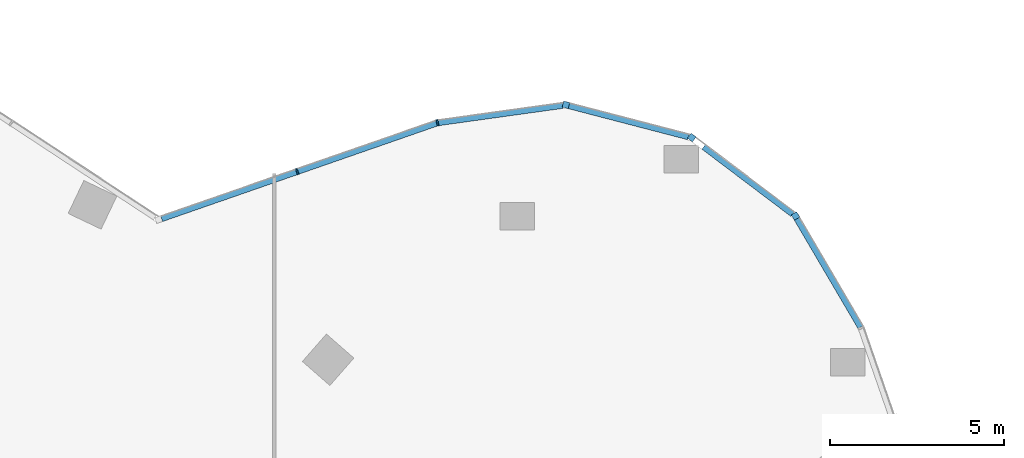
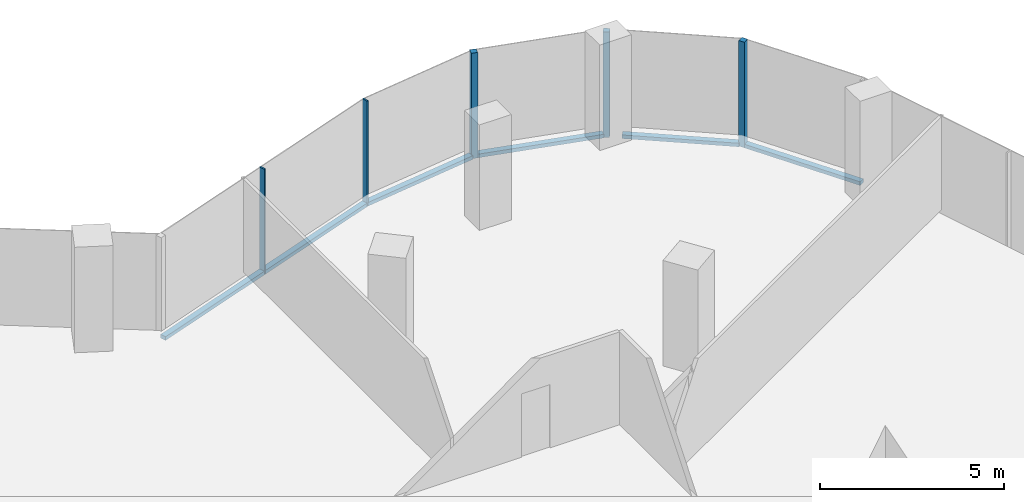
# One storey, part 11 of 24: 10 members, 5 elements without a shape of their own.
"""IFC4 building model written with IfcOpenShell, lengths in metres."""

import ifcopenshell
import ifcopenshell.guid

model = None  # the IFC model being written
_history = None  # IfcOwnerHistory: only IFC2X3 demands one
_inside = {}  # id of a spatial element -> (the spatial element, [elements in it])
_under = {}  # id of a project, library or spatial element -> (it, [spatial elements below it])
_declared = {}  # id of a project -> (the project, [libraries it declares])
_typed = {}  # id of a type object -> (the type object, [elements of that type])
_made_of = {}  # id of a material, layer set ... -> (it, [elements and type objects made of it])


def new_model(schema):
    """Start an empty IFC model of exactly this schema.

    Asked for "IFC4X3", IfcOpenShell would pick the latest addendum, in which some entities
    have other attributes; the version numbers below select the first issue.
    IFC2X3 requires an IfcOwnerHistory on every rooted entity: one is made here for all.
    """
    global model, _history
    if schema == "IFC4X3":
        model = ifcopenshell.file(schema_version=(4, 3, 0, 0))
    else:
        model = ifcopenshell.file(schema=schema)
    _inside.clear()
    _under.clear()
    _declared.clear()
    _typed.clear()
    _made_of.clear()
    _history = None
    if model.schema == "IFC2X3":
        org = make("IfcOrganization", Name="unknown")
        user = make(
            "IfcPersonAndOrganization",
            ThePerson=make("IfcPerson", FamilyName="unknown"),
            TheOrganization=org,
        )
        app = make(
            "IfcApplication",
            ApplicationDeveloper=org,
            Version="unknown",
            ApplicationFullName="unknown",
            ApplicationIdentifier="unknown",
        )
        _history = make(
            "IfcOwnerHistory",
            OwningUser=user,
            OwningApplication=app,
            ChangeAction="ADDED",
            CreationDate=0,
        )
    return model


def make(cls, **values):
    """One entity of the class cls with the attributes given. An attribute that is None is left unset."""
    return model.create_entity(
        cls, **{name: value for name, value in values.items() if value is not None}
    )


def rooted(cls, **values):
    """An entity with a GlobalId (a new one), such as an element, a storey or a relation."""
    return make(cls, GlobalId=ifcopenshell.guid.new(), OwnerHistory=_history, **values)


def si_unit(unit_type, name, prefix=None):
    """IfcSIUnit, for example si_unit("LENGTHUNIT", "METRE", prefix="MILLI")."""
    return make("IfcSIUnit", UnitType=unit_type, Prefix=prefix, Name=name)


def assignment(units):
    """IfcUnitAssignment: the units of a project."""
    return None if units is None else make("IfcUnitAssignment", Units=units)


def point(xyz):
    """IfcCartesianPoint."""
    return None if xyz is None else make("IfcCartesianPoint", Coordinates=xyz)


def direction(xyz):
    """IfcDirection."""
    return None if xyz is None else make("IfcDirection", DirectionRatios=xyz)


def frame(location, z_axis=None, x_axis=None):
    """IfcAxis2Placement3D, a coordinate frame: its origin and axes. An axis left out is left unset."""
    return make(
        "IfcAxis2Placement3D",
        Location=point(location),
        Axis=direction(z_axis),
        RefDirection=direction(x_axis),
    )


def frame_2d(location, x_axis=None):
    """IfcAxis2Placement2D, a coordinate frame in the plane: its origin and x axis."""
    return make(
        "IfcAxis2Placement2D", Location=point(location), RefDirection=direction(x_axis)
    )


def origin():
    """The frame at (0, 0, 0) with its axes left unset."""
    return frame((0.0, 0.0, 0.0))


def origin_2d():
    """The frame at (0, 0) in the plane with its x axis left unset."""
    return frame_2d((0.0, 0.0))


def place(relative_to, where):
    """IfcLocalPlacement: puts the frame where relative to a parent placement (None: the world)."""
    return make(
        "IfcLocalPlacement", PlacementRelTo=relative_to, RelativePlacement=where
    )


def context(
    kind, dimensions, precision=None, world=None, true_north=None, identifier=None
):
    """IfcGeometricRepresentationContext, for example the 3D "Model" context."""
    return make(
        "IfcGeometricRepresentationContext",
        ContextIdentifier=identifier,
        ContextType=kind,
        CoordinateSpaceDimension=dimensions,
        Precision=precision,
        WorldCoordinateSystem=world,
        TrueNorth=true_north,
    )


def subcontext(parent, identifier, kind, view, scale=None):
    """IfcGeometricRepresentationSubContext, for example "Body" below "Model"."""
    return make(
        "IfcGeometricRepresentationSubContext",
        ContextIdentifier=identifier,
        ContextType=kind,
        ParentContext=parent,
        TargetScale=scale,
        TargetView=view,
    )


def project(units=None, contexts=None):
    """IfcProject with its units and contexts."""
    return rooted(
        "IfcProject",
        Name="project",
        RepresentationContexts=contexts,
        UnitsInContext=assignment(units),
    )


def spatial(cls, under=None, at=None, **own):
    """A site, building, storey or space (cls), placed at a placement, below another one or the project."""
    s = rooted(cls, ObjectPlacement=at, **own)
    if under is not None:
        _under.setdefault(under.id(), (under, []))[1].append(s)
    return s


def profile(cls, at=None, kind="AREA", **sizes):
    """A parametric profile (cls). Its sizes go by their IFC names, for example OverallWidth=200.0."""
    return make(cls, ProfileType=kind, Position=at, **sizes)


def rectangle(**sizes):
    """IfcRectangleProfileDef."""
    return profile("IfcRectangleProfileDef", **sizes)


def extrude(swept, where, along, depth):
    """IfcExtrudedAreaSolid: the profile swept, set in the frame where, extruded along a direction by depth."""
    return make(
        "IfcExtrudedAreaSolid",
        SweptArea=swept,
        Position=where,
        ExtrudedDirection=direction(along),
        Depth=depth,
    )


def shape(context_of_items, identifier, shape_type, items):
    """IfcShapeRepresentation: the items that make up one representation, for example the "Body"."""
    return make(
        "IfcShapeRepresentation",
        ContextOfItems=context_of_items,
        RepresentationIdentifier=identifier,
        RepresentationType=shape_type,
        Items=items,
    )


def material(Name=None, Category=None):
    """IfcMaterial."""
    return make("IfcMaterial", Name=Name, Category=Category)


def material_profile(
    of_material, cross_section, Name=None, Category=None, Priority=None
):
    """IfcMaterialProfile: a cross section and its material."""
    return make(
        "IfcMaterialProfile",
        Name=Name,
        Material=of_material,
        Profile=cross_section,
        Priority=Priority,
        Category=Category,
    )


def profile_set(profiles, Name=None, composite=None):
    """IfcMaterialProfileSet."""
    return make(
        "IfcMaterialProfileSet",
        Name=Name,
        MaterialProfiles=profiles,
        CompositeProfile=composite,
    )


def made_of(thing, what):
    """Note that an element or type object is made of a material, layer set ...; save() writes the relation."""
    if what is not None:
        _made_of.setdefault(what.id(), (what, []))[1].append(thing)
    return thing


def type_object(cls, material=None, **own):
    """A type object (cls), such as IfcWallType, which elements share."""
    return made_of(rooted(cls, **own), material)


def element(
    cls,
    number,
    at=None,
    inside=None,
    cuts=None,
    type_object=None,
    material=None,
    context=None,
    identifier="Body",
    shape_type=None,
    held_by="IfcProductDefinitionShape",
    body=None,
    shapes=None,
    **own,
):
    """One element of the class cls, such as IfcWall. Its Tag is "e" and its number.

    at: its placement. inside: the storey or other place that contains it. cuts: it is an
    opening in that element (IfcRelVoidsElement). A single representation is given by context,
    identifier, shape_type and body (its items); several are given by shapes. held_by: the class
    of the entity that holds the representations. save() writes the other relations.
    """
    e = rooted(cls, Tag="e%d" % number, ObjectPlacement=at, **own)
    if body is not None:
        shapes = [shape(context, identifier, shape_type, body)]
    if shapes is not None:
        e.Representation = make(held_by, Representations=shapes)
    if inside is not None:
        _inside.setdefault(inside.id(), (inside, []))[1].append(e)
    if cuts is not None:
        rooted(
            "IfcRelVoidsElement", RelatingBuildingElement=cuts, RelatedOpeningElement=e
        )
    if type_object is not None:
        _typed.setdefault(type_object.id(), (type_object, []))[1].append(e)
    return made_of(e, material)


def aggregate(whole, parts):
    """IfcRelAggregates: a whole, such as a stair, and the parts it consists of."""
    return rooted("IfcRelAggregates", RelatingObject=whole, RelatedObjects=parts)


def save(model, path):
    """Write the relations noted so far, then the file.

    IfcRelAggregates (storeys below a building ...), IfcRelContainedInSpatialStructure (elements
    in a storey), IfcRelDefinesByType, IfcRelAssociatesMaterial and IfcRelDeclares: one each for
    every whole, place, type object, material and project.
    """
    for whole, parts in _under.values():
        aggregate(whole, parts)
    for where, things in _inside.values():
        rooted(
            "IfcRelContainedInSpatialStructure",
            RelatedElements=things,
            RelatingStructure=where,
        )
    for kind, things in _typed.values():
        rooted("IfcRelDefinesByType", RelatedObjects=things, RelatingType=kind)
    for what, things in _made_of.values():
        rooted("IfcRelAssociatesMaterial", RelatedObjects=things, RelatingMaterial=what)
    for by, libraries in _declared.values():
        rooted("IfcRelDeclares", RelatingContext=by, RelatedDefinitions=libraries)
    model.write(path)


model = new_model("IFC4")

# Units and contexts
model_context = context("Model", 3, precision=1e-05, world=origin(), true_north=direction((0.0, 1.0)))
body_context = subcontext(model_context, "Body", "Model", "MODEL_VIEW")
ifc_project = project(units=[si_unit("LENGTHUNIT", "METRE"), si_unit("AREAUNIT", "SQUARE_METRE"), si_unit("VOLUMEUNIT", "CUBIC_METRE"), si_unit("PLANEANGLEUNIT", "RADIAN"), si_unit("MASSUNIT", "GRAM", prefix="KILO")], contexts=[model_context])

# Site, building, storey
site_placement = place(None, origin())
site = spatial("IfcSite", under=ifc_project, at=site_placement, CompositionType="ELEMENT")
building_placement = place(site_placement, origin())
building = spatial("IfcBuilding", under=site, at=building_placement, Name="Orlundy Tower", CompositionType="ELEMENT")
storey_placement = place(building_placement, frame((0.0, 0.0, 239.0)))
storey = spatial("IfcBuildingStorey", under=building, at=storey_placement, Name="L63", CompositionType="ELEMENT", Elevation=239.0)

# Curtain wall, member
ifc_material_1 = material(Name="Aluminium bronze anodised", Category="aluminium")
curtain_wall_type = type_object("IfcCurtainWallType", Name="CW1 wall", PredefinedType="NOTDEFINED", material=ifc_material_1)
curtain_wall_1_placement = place(storey_placement, origin())
curtain_wall_1 = element("IfcCurtainWall", 1, at=curtain_wall_1_placement, inside=storey, type_object=curtain_wall_type, Name="CW1 run 020", PredefinedType="NOTDEFINED")
ifc_material_2 = material(Name="Aluminium bronze anodised", Category="aluminium")
ifc_material_profile_1 = material_profile(ifc_material_2, rectangle(XDim=0.179931640625, YDim=0.179931640625, at=origin_2d()), Name="CW1 corner post 180x180")
ifc_profile_set_1 = profile_set([ifc_material_profile_1], Name="Aluminium bronze anodised")
member_type_1 = type_object("IfcMemberType", Name="CW1 corner post 180x180", PredefinedType="MULLION", material=ifc_profile_set_1)
member_1_placement = place(storey_placement, frame((26.392333984375, 29.671630859375, -0.39990234375), z_axis=(0.0, 0.0, 1.0), x_axis=(0.251982569313, 0.967731773149, 0.0)))
member_1 = element("IfcMember", 2, at=member_1_placement, type_object=member_type_1, Name="CW1 mullion 42", PredefinedType="MULLION", context=body_context, shape_type="SweptSolid", body=[
    extrude(rectangle(XDim=0.179931640625, YDim=0.179931640625, at=origin_2d()), origin(), (0.0, 0.0, 1.0), 3.5),
])

curtain_wall_2_placement = place(storey_placement, origin())
curtain_wall_2 = element("IfcCurtainWall", 3, at=curtain_wall_2_placement, inside=storey, type_object=curtain_wall_type, Name="CW1 run 021", PredefinedType="NOTDEFINED")
member_2_placement = place(storey_placement, frame((30.013916015625, 28.728515625, -0.39990234375), z_axis=(0.0, 0.0, 1.0), x_axis=(0.602974291826, 0.797760617853, 0.0)))
member_2 = element("IfcMember", 4, at=member_2_placement, type_object=member_type_1, Name="CW1 mullion 43", PredefinedType="MULLION", context=body_context, shape_type="SweptSolid", body=[
    extrude(rectangle(XDim=0.179931640625, YDim=0.179931640625, at=origin_2d()), origin(), (0.0, 0.0, 1.0), 3.5),
])

curtain_wall_3_placement = place(storey_placement, origin())
curtain_wall_3 = element("IfcCurtainWall", 5, at=curtain_wall_3_placement, inside=storey, type_object=curtain_wall_type, Name="CW1 run 022", PredefinedType="NOTDEFINED")
member_3_placement = place(storey_placement, frame((32.99951171875, 26.471923828125, -0.39990234375), z_axis=(0.0, 0.0, 1.0), x_axis=(0.862287730604, 0.506418670322, 0.0)))
member_3 = element("IfcMember", 6, at=member_3_placement, type_object=member_type_1, Name="CW1 mullion 44", PredefinedType="MULLION", context=body_context, shape_type="SweptSolid", body=[
    extrude(rectangle(XDim=0.179931640625, YDim=0.179931640625, at=origin_2d()), origin(), (0.0, 0.0, 1.0), 3.5),
])

curtain_wall_4_placement = place(storey_placement, origin())
curtain_wall_4 = element("IfcCurtainWall", 7, at=curtain_wall_4_placement, inside=storey, type_object=curtain_wall_type, Name="CW1 run 018", PredefinedType="NOTDEFINED")
ifc_material_3 = material(Name="Aluminium bronze anodised", Category="aluminium")
ifc_material_profile_2 = material_profile(ifc_material_3, rectangle(XDim=0.179931640625, YDim=0.050048828125, at=origin_2d()), Name="CW1 mullion 50x180")
ifc_profile_set_2 = profile_set([ifc_material_profile_2], Name="Aluminium bronze anodised")
member_type_2 = type_object("IfcMemberType", Name="CW1 mullion 50x180", PredefinedType="MULLION", material=ifc_profile_set_2)
member_4_placement = place(storey_placement, frame((18.656005859375, 27.75341796875, -0.39990234375), z_axis=(0.0, 0.0, 1.0), x_axis=(-0.328297862498, 0.94457424985, 0.0)))
member_4 = element("IfcMember", 8, at=member_4_placement, type_object=member_type_2, Name="CW1 mullion 40", PredefinedType="MULLION", context=body_context, shape_type="SweptSolid", body=[
    extrude(rectangle(XDim=0.179931640625, YDim=0.050048828125, at=origin_2d()), origin(), (0.0, 0.0, 1.0), 3.5),
])

curtain_wall_5_placement = place(storey_placement, origin())
curtain_wall_5 = element("IfcCurtainWall", 9, at=curtain_wall_5_placement, inside=storey, type_object=curtain_wall_type, Name="CW1 run 019", PredefinedType="NOTDEFINED")
member_5_placement = place(storey_placement, frame((22.69384765625, 29.156982421875, -0.39990234375), z_axis=(0.0, 0.0, 1.0), x_axis=(-0.234191728403, 0.972190431113, 0.0)))
member_5 = element("IfcMember", 10, at=member_5_placement, type_object=member_type_2, Name="CW1 mullion 41", PredefinedType="MULLION", context=body_context, shape_type="SweptSolid", body=[
    extrude(rectangle(XDim=0.179931640625, YDim=0.050048828125, at=origin_2d()), origin(), (0.0, 0.0, 1.0), 3.5),
])

# Member
ifc_material_4 = material(Name="Aluminium bronze anodised", Category="aluminium")
ifc_material_profile_3 = material_profile(ifc_material_4, rectangle(XDim=0.179931640625, YDim=0.1201171875, at=origin_2d()), Name="CW1 transom 180x120")
ifc_profile_set_3 = profile_set([ifc_material_profile_3], Name="Aluminium bronze anodised")
member_type_3 = type_object("IfcMemberType", Name="CW1 transom 180x120", PredefinedType="USERDEFINED", material=ifc_profile_set_3)
member_6_placement = place(storey_placement, frame((14.75341796875, 26.397216796875, -0.340087890625), z_axis=(0.944577721122, 0.328287874828, 0.0), x_axis=(-0.328287874828, 0.944577721122, 0.0)))
member_6 = element("IfcMember", 11, at=member_6_placement, type_object=member_type_3, Name="CW1 transom", ObjectType="TRANSOM", PredefinedType="USERDEFINED", context=body_context, shape_type="SweptSolid", body=[
    extrude(rectangle(XDim=0.179931640625, YDim=0.1201171875, at=origin_2d()), origin(), (0.0, 0.0, 1.0), 8.38134765625),
])

aggregate(curtain_wall_4, [member_4, member_6])

member_7_placement = place(storey_placement, frame((22.71875, 29.160400390625, -0.340087890625), z_axis=(0.990455393576, 0.137833643701, 0.0), x_axis=(-0.137833643701, 0.990455393576, 0.0)))
member_7 = element("IfcMember", 12, at=member_7_placement, type_object=member_type_3, Name="CW1 transom", ObjectType="TRANSOM", PredefinedType="USERDEFINED", context=body_context, shape_type="SweptSolid", body=[
    extrude(rectangle(XDim=0.179931640625, YDim=0.1201171875, at=origin_2d()), origin(), (0.0, 0.0, 1.0), 3.611572265625),
])

aggregate(curtain_wall_5, [member_5, member_7])

member_8_placement = place(storey_placement, frame((26.4794921875, 29.64892578125, -0.340087890625), z_axis=(0.967733131764, -0.251977351532, 0.0), x_axis=(0.251977351532, 0.967733131764, 0.0)))
member_8 = element("IfcMember", 13, at=member_8_placement, type_object=member_type_3, Name="CW1 transom", ObjectType="TRANSOM", PredefinedType="USERDEFINED", context=body_context, shape_type="SweptSolid", body=[
    extrude(rectangle(XDim=0.179931640625, YDim=0.1201171875, at=origin_2d()), origin(), (0.0, 0.0, 1.0), 3.554931640625),
])

aggregate(curtain_wall_1, [member_1, member_8])

member_9_placement = place(storey_placement, frame((30.362060546875, 28.465576171875, -0.340087890625), z_axis=(0.797757523546, -0.602978385704, 0.0), x_axis=(0.602978385704, 0.797757523546, 0.0)))
member_9 = element("IfcMember", 14, at=member_9_placement, type_object=member_type_3, Name="CW1 transom", ObjectType="TRANSOM", PredefinedType="USERDEFINED", context=body_context, shape_type="SweptSolid", body=[
    extrude(rectangle(XDim=0.179931640625, YDim=0.1201171875, at=origin_2d()), origin(), (0.0, 0.0, 1.0), 3.208740234375),
])

aggregate(curtain_wall_2, [member_2, member_9])

member_10_placement = place(storey_placement, frame((33.045166015625, 26.394287109375, -0.340087890625), z_axis=(0.506444950647, -0.862272295719, 0.0), x_axis=(0.862272295719, 0.506444950647, 0.0)))
member_10 = element("IfcMember", 15, at=member_10_placement, type_object=member_type_3, Name="CW1 transom", ObjectType="TRANSOM", PredefinedType="USERDEFINED", context=body_context, shape_type="SweptSolid", body=[
    extrude(rectangle(XDim=0.179931640625, YDim=0.1201171875, at=origin_2d()), origin(), (0.0, 0.0, 1.0), 3.617919921875),
])

aggregate(curtain_wall_3, [member_3, member_10])

save(model, "model.ifc")
